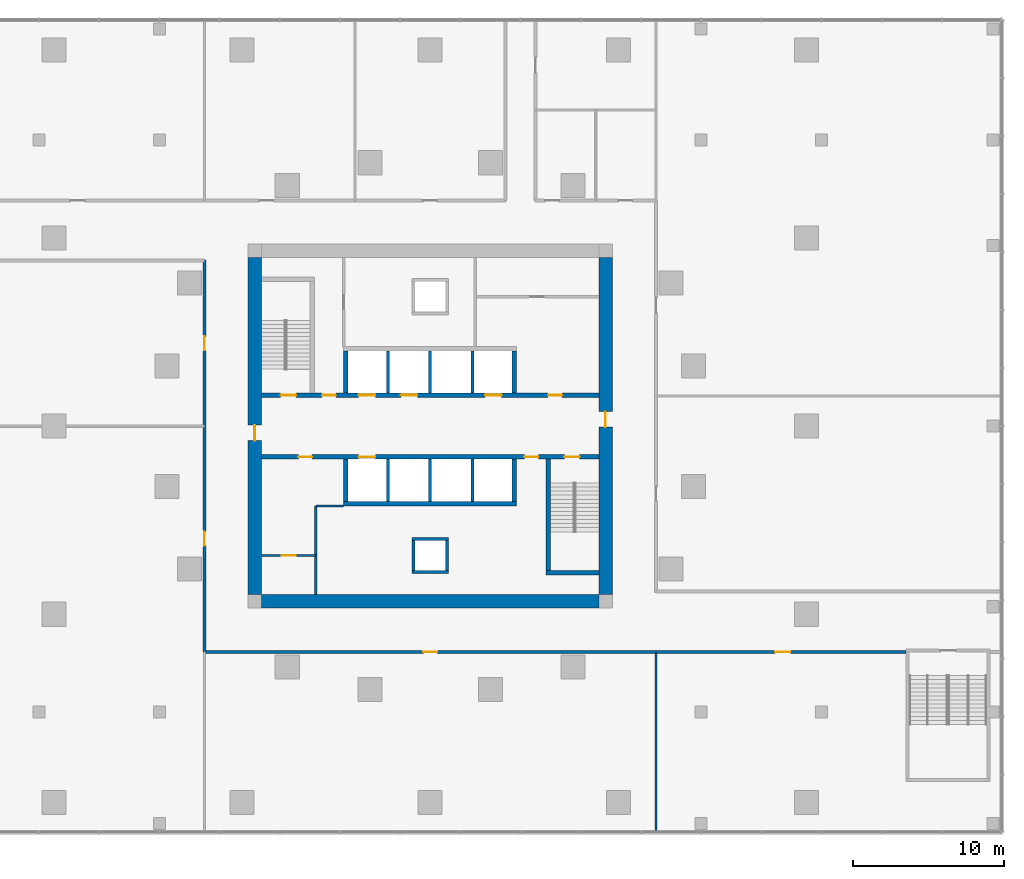
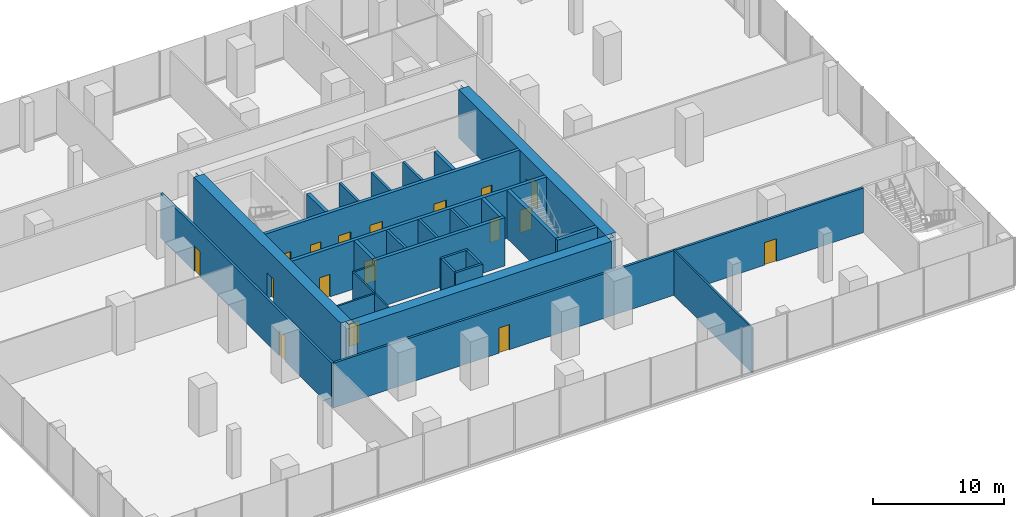
# One storey, part 10 of 15: 28 walls, 17 doors, 17 openings.
"""IFC4 building model written with IfcOpenShell, lengths in metres."""

from ifc_helpers import new_model, si_unit, direction, frame, frame_2d, origin, place, context, subcontext, project, spatial, polyline, rectangle, outline, extrude, material, layer, layer_set, type_object, element, fill, save


model = new_model("IFC4")

# Units and contexts
model_context = context("Model", 3, precision=1e-05, world=origin(), true_north=direction((0.0, 1.0)))
body_context = subcontext(model_context, "Body", "Model", "MODEL_VIEW")
ifc_project = project(units=[si_unit("LENGTHUNIT", "METRE"), si_unit("AREAUNIT", "SQUARE_METRE"), si_unit("VOLUMEUNIT", "CUBIC_METRE"), si_unit("PLANEANGLEUNIT", "RADIAN"), si_unit("MASSUNIT", "GRAM", prefix="KILO")], contexts=[model_context])

# Site, building, storey
site_placement = place(None, origin())
site = spatial("IfcSite", under=ifc_project, at=site_placement, CompositionType="ELEMENT")
building_placement = place(site_placement, origin())
building = spatial("IfcBuilding", under=site, at=building_placement, Name="Torsade Residences", CompositionType="ELEMENT")
storey_placement = place(building_placement, frame((0.0, 0.0, 6.0)))
storey = spatial("IfcBuildingStorey", under=building, at=storey_placement, Name="L01", CompositionType="ELEMENT", Elevation=6.0)

# Wall, openings, doors
ifc_material_1 = material(Name="Concrete 80 MPa", Category="concrete")
ifc_layer_1 = layer(ifc_material_1, 0.300048828125)
ifc_layer_set_1 = layer_set([ifc_layer_1], Name="Concrete 80 MPa")
wall_type_1 = type_object("IfcWallType", Name="CORE INTERNAL WALL 300", PredefinedType="SHEAR", material=ifc_layer_set_1)
wall_1_placement = place(storey_placement, frame((28.800048828125, 32.050048828125, 0.0), z_axis=(0.0, 0.0, 1.0), x_axis=(1.0, 0.0, 0.0)))
wall_1 = element("IfcWall", 1, at=wall_1_placement, inside=storey, type_object=wall_type_1, Name="Core wall LN L01", PredefinedType="SHEAR", context=body_context, shape_type="SweptSolid", body=[
    extrude(rectangle(XDim=22.39990234375, YDim=0.300048828125, at=frame_2d((11.199951171875, 0.0))), origin(), (0.0, 0.0, 1.0), 4.5),
])
opening_1_placement = place(wall_1_placement, frame((19.0400390625, 0.0, 0.0)))
opening_1 = element("IfcOpeningElement", 2, at=opening_1_placement, cuts=wall_1, Name="Opening D06", PredefinedType="OPENING", context=body_context, shape_type="SweptSolid", body=[
    extrude(rectangle(XDim=0.919921875, YDim=2.10009765625, at=frame_2d((0.4599609375, 1.050048828125))), frame((0.0, 0.159912109375, 0.0), z_axis=(0.0, -1.0, 0.0), x_axis=(1.0, 0.0, 0.0)), (0.0, 0.0, 1.0), 0.320068359375),
])
opening_2_placement = place(wall_1_placement, frame((1.264892578125, 0.0, 0.0)))
opening_2 = element("IfcOpeningElement", 3, at=opening_2_placement, cuts=wall_1, Name="Opening D03", PredefinedType="OPENING", context=body_context, shape_type="SweptSolid", body=[
    extrude(rectangle(XDim=1.02001953125, YDim=2.10009765625, at=frame_2d((0.510009765625, 1.050048828125))), frame((0.0, 0.159912109375, 0.0), z_axis=(0.0, -1.0, 0.0), x_axis=(1.0, 0.0, 0.0)), (0.0, 0.0, 1.0), 0.320068359375),
])
opening_3_placement = place(wall_1_placement, frame((4.014892578125, 0.0, 0.0)))
opening_3 = element("IfcOpeningElement", 4, at=opening_3_placement, cuts=wall_1, Name="Opening D06", PredefinedType="OPENING", context=body_context, shape_type="SweptSolid", body=[
    extrude(rectangle(XDim=0.919921875, YDim=2.10009765625, at=frame_2d((0.4599609375, 1.050048828125))), frame((0.0, 0.159912109375, 0.0), z_axis=(0.0, -1.0, 0.0), x_axis=(1.0, 0.0, 0.0)), (0.0, 0.0, 1.0), 0.320068359375),
])
opening_4_placement = place(wall_1_placement, frame((6.449951171875, 0.0, 0.0)))
opening_4 = element("IfcOpeningElement", 5, at=opening_4_placement, cuts=wall_1, Name="Opening LD", PredefinedType="OPENING", context=body_context, shape_type="SweptSolid", body=[
    extrude(rectangle(XDim=1.10009765625, YDim=2.10009765625, at=frame_2d((0.550048828125, 1.050048828125))), frame((0.0, 0.159912109375, 0.0), z_axis=(0.0, -1.0, 0.0), x_axis=(1.0, 0.0, 0.0)), (0.0, 0.0, 1.0), 0.320068359375),
])
opening_5_placement = place(wall_1_placement, frame((9.25, 0.0, 0.0)))
opening_5 = element("IfcOpeningElement", 6, at=opening_5_placement, cuts=wall_1, Name="Opening LD", PredefinedType="OPENING", context=body_context, shape_type="SweptSolid", body=[
    extrude(rectangle(XDim=1.10009765625, YDim=2.10009765625, at=frame_2d((0.550048828125, 1.050048828125))), frame((0.0, 0.159912109375, 0.0), z_axis=(0.0, -1.0, 0.0), x_axis=(1.0, 0.0, 0.0)), (0.0, 0.0, 1.0), 0.320068359375),
])
opening_6_placement = place(wall_1_placement, frame((14.85009765625, 0.0, 0.0)))
opening_6 = element("IfcOpeningElement", 7, at=opening_6_placement, cuts=wall_1, Name="Opening LD", PredefinedType="OPENING", context=body_context, shape_type="SweptSolid", body=[
    extrude(rectangle(XDim=1.10009765625, YDim=2.10009765625, at=frame_2d((0.550048828125, 1.050048828125))), frame((0.0, 0.159912109375, 0.0), z_axis=(0.0, -1.0, 0.0), x_axis=(1.0, 0.0, 0.0)), (0.0, 0.0, 1.0), 0.320068359375),
])
ifc_material_2 = material(Name="Steel-framed fire door", Category="steel")
door_type_1 = type_object("IfcDoorType", Name="FIRE DOOR 1020", OperationType="NOTDEFINED", PredefinedType="DOOR", material=ifc_material_2)
door_1_placement = place(opening_2_placement, origin())
door_1 = element("IfcDoor", 8, at=door_1_placement, inside=storey, type_object=door_type_1, Name="Exit door to fire-isolated stair ST1 L01", OperationType="SINGLE_SWING_RIGHT", OverallHeight=2.10009765625, OverallWidth=1.02001953125, PredefinedType="DOOR", context=body_context, shape_type="SweptSolid", body=[
    extrude(rectangle(XDim=1.02001953125, YDim=2.10009765625, at=frame_2d((0.510009765625, 1.050048828125))), frame((0.0, 0.02490234375, 0.0), z_axis=(0.0, -1.0, 0.0), x_axis=(1.0, 0.0, 0.0)), (0.0, 0.0, 1.0), 0.050048828125),
])
fill(opening_2, door_1)
ifc_material_3 = material(Name="Steel-framed fire door", Category="steel")
door_type_2 = type_object("IfcDoorType", Name="FIRE DOOR 920", OperationType="NOTDEFINED", PredefinedType="DOOR", material=ifc_material_3)
door_2_placement = place(opening_1_placement, origin())
door_2 = element("IfcDoor", 9, at=door_2_placement, inside=storey, type_object=door_type_2, Name="Door Lift lobby to Refuse room", OperationType="SINGLE_SWING_LEFT", OverallHeight=2.10009765625, OverallWidth=0.919921875, PredefinedType="DOOR", context=body_context, shape_type="SweptSolid", body=[
    extrude(rectangle(XDim=0.919921875, YDim=2.10009765625, at=frame_2d((0.4599609375, 1.050048828125))), frame((0.0, 0.02490234375, 0.0), z_axis=(0.0, -1.0, 0.0), x_axis=(1.0, 0.0, 0.0)), (0.0, 0.0, 1.0), 0.050048828125),
])
fill(opening_1, door_2)
door_3_placement = place(opening_3_placement, origin())
door_3 = element("IfcDoor", 10, at=door_3_placement, inside=storey, type_object=door_type_2, Name="Door Lift lobby to Meter store", OperationType="SINGLE_SWING_LEFT", OverallHeight=2.10009765625, OverallWidth=0.919921875, PredefinedType="DOOR", context=body_context, shape_type="SweptSolid", body=[
    extrude(rectangle(XDim=0.919921875, YDim=2.10009765625, at=frame_2d((0.4599609375, 1.050048828125))), frame((0.0, 0.02490234375, 0.0), z_axis=(0.0, -1.0, 0.0), x_axis=(1.0, 0.0, 0.0)), (0.0, 0.0, 1.0), 0.050048828125),
])
fill(opening_3, door_3)
ifc_material_4 = material(Name="Stainless steel lift landing door", Category="steel")
door_type_3 = type_object("IfcDoorType", Name="LIFT LANDING DOOR 1100", OperationType="SLIDING_TO_LEFT", PredefinedType="DOOR", material=ifc_material_4)
door_4_placement = place(opening_4_placement, origin())
door_4 = element("IfcDoor", 11, at=door_4_placement, inside=storey, type_object=door_type_3, Name="Lift LA1 landing door L01", OperationType="SLIDING_TO_LEFT", OverallHeight=2.10009765625, OverallWidth=1.10009765625, PredefinedType="DOOR", context=body_context, shape_type="SweptSolid", body=[
    extrude(rectangle(XDim=1.10009765625, YDim=2.10009765625, at=frame_2d((0.550048828125, 1.050048828125))), frame((0.0, 0.02490234375, 0.0), z_axis=(0.0, -1.0, 0.0), x_axis=(1.0, 0.0, 0.0)), (0.0, 0.0, 1.0), 0.050048828125),
])
fill(opening_4, door_4)
door_5_placement = place(opening_5_placement, origin())
door_5 = element("IfcDoor", 12, at=door_5_placement, inside=storey, type_object=door_type_3, Name="Lift LA2 landing door L01", OperationType="SLIDING_TO_LEFT", OverallHeight=2.10009765625, OverallWidth=1.10009765625, PredefinedType="DOOR", context=body_context, shape_type="SweptSolid", body=[
    extrude(rectangle(XDim=1.10009765625, YDim=2.10009765625, at=frame_2d((0.550048828125, 1.050048828125))), frame((0.0, 0.02490234375, 0.0), z_axis=(0.0, -1.0, 0.0), x_axis=(1.0, 0.0, 0.0)), (0.0, 0.0, 1.0), 0.050048828125),
])
fill(opening_5, door_5)
door_6_placement = place(opening_6_placement, origin())
door_6 = element("IfcDoor", 13, at=door_6_placement, inside=storey, type_object=door_type_3, Name="Lift FL1 landing door L01", OperationType="SLIDING_TO_LEFT", OverallHeight=2.10009765625, OverallWidth=1.10009765625, PredefinedType="DOOR", context=body_context, shape_type="SweptSolid", body=[
    extrude(rectangle(XDim=1.10009765625, YDim=2.10009765625, at=frame_2d((0.550048828125, 1.050048828125))), frame((0.0, 0.02490234375, 0.0), z_axis=(0.0, -1.0, 0.0), x_axis=(1.0, 0.0, 0.0)), (0.0, 0.0, 1.0), 0.050048828125),
])
fill(opening_6, door_6)

wall_2_placement = place(storey_placement, frame((51.199951171875, 27.949951171875, 0.0), z_axis=(0.0, 0.0, 1.0), x_axis=(-1.0, 0.0, 0.0)))
wall_2 = element("IfcWall", 14, at=wall_2_placement, inside=storey, type_object=wall_type_1, Name="Core wall LS L01", PredefinedType="SHEAR", context=body_context, shape_type="SweptSolid", body=[
    extrude(rectangle(XDim=22.39990234375, YDim=0.300048828125, at=frame_2d((11.199951171875, 0.0))), origin(), (0.0, 0.0, 1.0), 4.5),
])
opening_7_placement = place(wall_2_placement, frame((19.0400390625, 0.0, 0.0)))
opening_7 = element("IfcOpeningElement", 15, at=opening_7_placement, cuts=wall_2, Name="Opening D06", PredefinedType="OPENING", context=body_context, shape_type="SweptSolid", body=[
    extrude(rectangle(XDim=0.919921875, YDim=2.10009765625, at=frame_2d((0.4599609375, 1.050048828125))), frame((0.0, 0.159912109375, 0.0), z_axis=(0.0, -1.0, 0.0), x_axis=(1.0, 0.0, 0.0)), (0.0, 0.0, 1.0), 0.320068359375),
])
opening_8_placement = place(wall_2_placement, frame((1.264892578125, 0.0, 0.0)))
opening_8 = element("IfcOpeningElement", 16, at=opening_8_placement, cuts=wall_2, Name="Opening D03", PredefinedType="OPENING", context=body_context, shape_type="SweptSolid", body=[
    extrude(rectangle(XDim=1.02001953125, YDim=2.10009765625, at=frame_2d((0.510009765625, 1.050048828125))), frame((0.0, 0.159912109375, 0.0), z_axis=(0.0, -1.0, 0.0), x_axis=(1.0, 0.0, 0.0)), (0.0, 0.0, 1.0), 0.320068359375),
])
opening_9_placement = place(wall_2_placement, frame((4.014892578125, 0.0, 0.0)))
opening_9 = element("IfcOpeningElement", 17, at=opening_9_placement, cuts=wall_2, Name="Opening D06", PredefinedType="OPENING", context=body_context, shape_type="SweptSolid", body=[
    extrude(rectangle(XDim=0.919921875, YDim=2.10009765625, at=frame_2d((0.4599609375, 1.050048828125))), frame((0.0, 0.159912109375, 0.0), z_axis=(0.0, -1.0, 0.0), x_axis=(1.0, 0.0, 0.0)), (0.0, 0.0, 1.0), 0.320068359375),
])
opening_10_placement = place(wall_2_placement, frame((14.85009765625, 0.0, 0.0)))
opening_10 = element("IfcOpeningElement", 18, at=opening_10_placement, cuts=wall_2, Name="Opening LD", PredefinedType="OPENING", context=body_context, shape_type="SweptSolid", body=[
    extrude(rectangle(XDim=1.10009765625, YDim=2.10009765625, at=frame_2d((0.550048828125, 1.050048828125))), frame((0.0, 0.159912109375, 0.0), z_axis=(0.0, -1.0, 0.0), x_axis=(1.0, 0.0, 0.0)), (0.0, 0.0, 1.0), 0.320068359375),
])
door_7_placement = place(opening_8_placement, origin())
door_7 = element("IfcDoor", 19, at=door_7_placement, inside=storey, type_object=door_type_1, Name="Exit door to fire-isolated stair ST2 L01", OperationType="SINGLE_SWING_RIGHT", OverallHeight=2.10009765625, OverallWidth=1.02001953125, PredefinedType="DOOR", context=body_context, shape_type="SweptSolid", body=[
    extrude(rectangle(XDim=1.02001953125, YDim=2.10009765625, at=frame_2d((0.510009765625, 1.050048828125))), frame((0.0, 0.02490234375, 0.0), z_axis=(0.0, -1.0, 0.0), x_axis=(1.0, 0.0, 0.0)), (0.0, 0.0, 1.0), 0.050048828125),
])
fill(opening_8, door_7)
door_8_placement = place(opening_7_placement, origin())
door_8 = element("IfcDoor", 20, at=door_8_placement, inside=storey, type_object=door_type_2, Name="Door Lift lobby to Cleaner store", OperationType="SINGLE_SWING_LEFT", OverallHeight=2.10009765625, OverallWidth=0.919921875, PredefinedType="DOOR", context=body_context, shape_type="SweptSolid", body=[
    extrude(rectangle(XDim=0.919921875, YDim=2.10009765625, at=frame_2d((0.4599609375, 1.050048828125))), frame((0.0, 0.02490234375, 0.0), z_axis=(0.0, -1.0, 0.0), x_axis=(1.0, 0.0, 0.0)), (0.0, 0.0, 1.0), 0.050048828125),
])
fill(opening_7, door_8)
door_9_placement = place(opening_9_placement, origin())
door_9 = element("IfcDoor", 21, at=door_9_placement, inside=storey, type_object=door_type_2, Name="Door Lift lobby to Communications riser room", OperationType="SINGLE_SWING_RIGHT", OverallHeight=2.10009765625, OverallWidth=0.919921875, PredefinedType="DOOR", context=body_context, shape_type="SweptSolid", body=[
    extrude(rectangle(XDim=0.919921875, YDim=2.10009765625, at=frame_2d((0.4599609375, 1.050048828125))), frame((0.0, 0.02490234375, 0.0), z_axis=(0.0, -1.0, 0.0), x_axis=(1.0, 0.0, 0.0)), (0.0, 0.0, 1.0), 0.050048828125),
])
fill(opening_9, door_9)
door_10_placement = place(opening_10_placement, origin())
door_10 = element("IfcDoor", 22, at=door_10_placement, inside=storey, type_object=door_type_3, Name="Lift FL2 landing door L01", OperationType="SLIDING_TO_LEFT", OverallHeight=2.10009765625, OverallWidth=1.10009765625, PredefinedType="DOOR", context=body_context, shape_type="SweptSolid", body=[
    extrude(rectangle(XDim=1.10009765625, YDim=2.10009765625, at=frame_2d((0.550048828125, 1.050048828125))), frame((0.0, 0.02490234375, 0.0), z_axis=(0.0, -1.0, 0.0), x_axis=(1.0, 0.0, 0.0)), (0.0, 0.0, 1.0), 0.050048828125),
])
fill(opening_10, door_10)

# Walls
wall_3_placement = place(storey_placement, frame((45.75, 24.85009765625, 0.0), z_axis=(0.0, 0.0, 1.0), x_axis=(-1.0, 0.0, 0.0)))
element("IfcWall", 23, at=wall_3_placement, inside=storey, type_object=wall_type_1, Name="Core wall BS L01", PredefinedType="SHEAR", context=body_context, shape_type="SweptSolid", body=[
    extrude(rectangle(XDim=11.5, YDim=0.300048828125, at=frame_2d((5.75, 0.0))), origin(), (0.0, 0.0, 1.0), 4.5),
])
for number, where, z_axis, x_axis, name in (
    (24, (34.39990234375, 32.199951171875, 0.0), (0.0, 0.0, 1.0), (0.0, 1.0, 0.0), "Core wall DN0 L01"),
    (25, (45.60009765625, 27.800048828125, 0.0), (0.0, 0.0, 1.0), (0.0, -1.0, 0.0), "Core wall DS0 L01"),
    (26, (45.60009765625, 32.199951171875, 0.0), (0.0, 0.0, 1.0), (0.0, 1.0, 0.0), "Core wall DN4 L01"),
    (27, (34.39990234375, 27.800048828125, 0.0), (0.0, 0.0, 1.0), (0.0, -1.0, 0.0), "Core wall DS4 L01"),
):
    element("IfcWall", number, at=place(storey_placement, frame(where, z_axis=z_axis, x_axis=x_axis)), inside=storey, type_object=wall_type_1, Name=name, PredefinedType="SHEAR", context=body_context, shape_type="SweptSolid", body=[
        extrude(rectangle(XDim=2.800048828125, YDim=0.300048828125, at=frame_2d((1.39990234375, 0.0))), origin(), (0.0, 0.0, 1.0), 4.5),
    ])
wall_4_placement = place(storey_placement, frame((47.85009765625, 27.800048828125, 0.0), z_axis=(0.0, 0.0, 1.0), x_axis=(0.0, -1.0, 0.0)))
element("IfcWall", 28, at=wall_4_placement, inside=storey, type_object=wall_type_1, Name="Core wall ST2W L01", PredefinedType="SHEAR", context=body_context, shape_type="SweptSolid", body=[
    extrude(rectangle(XDim=7.699951171875, YDim=0.300048828125, at=frame_2d((3.85009765625, 0.0))), origin(), (0.0, 0.0, 1.0), 4.5),
])
wall_5_placement = place(storey_placement, frame((51.199951171875, 20.25, 0.0), z_axis=(0.0, 0.0, 1.0), x_axis=(-1.0, 0.0, 0.0)))
element("IfcWall", 29, at=wall_5_placement, inside=storey, type_object=wall_type_1, Name="Core wall ST2S L01", PredefinedType="SHEAR", context=body_context, shape_type="SweptSolid", body=[
    extrude(rectangle(XDim=3.5, YDim=0.300048828125, at=frame_2d((1.75, 0.0))), origin(), (0.0, 0.0, 1.0), 4.5),
])
ifc_material_5 = material(Name="Concrete 80 MPa", Category="concrete")
ifc_layer_2 = layer(ifc_material_5, 0.89990234375)
ifc_layer_set_2 = layer_set([ifc_layer_2], Name="Concrete 80 MPa")
wall_type_2 = type_object("IfcWallType", Name="CORE WALL 900", PredefinedType="SHEAR", material=ifc_layer_set_2)
wall_6_placement = place(storey_placement, frame((51.199951171875, 18.35009765625, 0.0), z_axis=(0.0, 0.0, 1.0), x_axis=(-1.0, 0.0, 0.0)))
element("IfcWall", 30, at=wall_6_placement, inside=storey, type_object=wall_type_2, Name="Core wall S L01", PredefinedType="SHEAR", context=body_context, shape_type="SweptSolid", body=[
    extrude(outline(polyline([(0.0, -0.449951171875), (22.39990234375, -0.449951171875), (22.39990234375, -0.02490234375), (22.849853515625, -0.02490234375), (22.849853515625, 0.02490234375), (22.39990234375, 0.02490234375), (22.39990234375, 0.449951171875), (0.0, 0.449951171875), (0.0, 0.02490234375), (-0.449951171875, 0.02490234375), (-0.449951171875, -0.02490234375), (0.0, -0.02490234375), (0.0, -0.449951171875)])), origin(), (0.0, 0.0, 1.0), 4.5),
])

# Wall, opening, door
wall_7_placement = place(storey_placement, frame((51.64990234375, 18.800048828125, 0.0), z_axis=(0.0, 0.0, 1.0), x_axis=(0.0, 1.0, 0.0)))
wall_7 = element("IfcWall", 31, at=wall_7_placement, inside=storey, type_object=wall_type_2, Name="Core wall E L01", PredefinedType="SHEAR", context=body_context, shape_type="SweptSolid", body=[
    extrude(outline(polyline([(0.0, -0.449951171875), (22.39990234375, -0.449951171875), (22.39990234375, -0.02490234375), (22.849853515625, -0.02490234375), (22.849853515625, 0.02490234375), (22.39990234375, 0.02490234375), (22.39990234375, 0.449951171875), (0.0, 0.449951171875), (0.0, 0.02490234375), (-0.449951171875, 0.02490234375), (-0.449951171875, -0.02490234375), (0.0, -0.02490234375), (0.0, -0.449951171875)])), origin(), (0.0, 0.0, 1.0), 4.5),
])
opening_11_placement = place(wall_7_placement, frame((11.139892578125, 0.0, 0.0)))
opening_11 = element("IfcOpeningElement", 32, at=opening_11_placement, cuts=wall_7, Name="Opening D04", PredefinedType="OPENING", context=body_context, shape_type="SweptSolid", body=[
    extrude(rectangle(XDim=1.02001953125, YDim=2.39990234375, at=frame_2d((0.510009765625, 1.199951171875))), frame((0.0, 0.4599609375, 0.0), z_axis=(0.0, -1.0, 0.0), x_axis=(1.0, 0.0, 0.0)), (0.0, 0.0, 1.0), 0.919921875),
])
ifc_material_6 = material(Name="Steel-framed fire door", Category="steel")
door_type_4 = type_object("IfcDoorType", Name="LOBBY SMOKE DOOR 1020x2400", OperationType="NOTDEFINED", PredefinedType="DOOR", material=ifc_material_6)
door_11_placement = place(opening_11_placement, origin())
door_11 = element("IfcDoor", 33, at=door_11_placement, inside=storey, type_object=door_type_4, Name="Lift lobby door E L01", OperationType="SINGLE_SWING_LEFT", OverallHeight=2.39990234375, OverallWidth=1.02001953125, PredefinedType="DOOR", context=body_context, shape_type="SweptSolid", body=[
    extrude(rectangle(XDim=1.02001953125, YDim=2.39990234375, at=frame_2d((0.510009765625, 1.199951171875))), frame((0.0, 0.02490234375, 0.0), z_axis=(0.0, -1.0, 0.0), x_axis=(1.0, 0.0, 0.0)), (0.0, 0.0, 1.0), 0.050048828125),
])
fill(opening_11, door_11)

wall_8_placement = place(storey_placement, frame((28.35009765625, 41.199951171875, 0.0), z_axis=(0.0, 0.0, 1.0), x_axis=(0.0, -1.0, 0.0)))
wall_8 = element("IfcWall", 34, at=wall_8_placement, inside=storey, type_object=wall_type_2, Name="Core wall W L01", PredefinedType="SHEAR", context=body_context, shape_type="SweptSolid", body=[
    extrude(outline(polyline([(0.0, -0.449951171875), (22.39990234375, -0.449951171875), (22.39990234375, -0.02490234375), (22.849853515625, -0.02490234375), (22.849853515625, 0.02490234375), (22.39990234375, 0.02490234375), (22.39990234375, 0.449951171875), (0.0, 0.449951171875), (0.0, 0.02490234375), (-0.449951171875, 0.02490234375), (-0.449951171875, -0.02490234375), (0.0, -0.02490234375), (0.0, -0.449951171875)])), origin(), (0.0, 0.0, 1.0), 4.5),
])
opening_12_placement = place(wall_8_placement, frame((11.139892578125, 0.0, 0.0)))
opening_12 = element("IfcOpeningElement", 35, at=opening_12_placement, cuts=wall_8, Name="Opening D04", PredefinedType="OPENING", context=body_context, shape_type="SweptSolid", body=[
    extrude(rectangle(XDim=1.02001953125, YDim=2.39990234375, at=frame_2d((0.510009765625, 1.199951171875))), frame((0.0, 0.4599609375, 0.0), z_axis=(0.0, -1.0, 0.0), x_axis=(1.0, 0.0, 0.0)), (0.0, 0.0, 1.0), 0.919921875),
])
door_12_placement = place(opening_12_placement, origin())
door_12 = element("IfcDoor", 36, at=door_12_placement, inside=storey, type_object=door_type_4, Name="Lift lobby door W L01", OperationType="SINGLE_SWING_RIGHT", OverallHeight=2.39990234375, OverallWidth=1.02001953125, PredefinedType="DOOR", context=body_context, shape_type="SweptSolid", body=[
    extrude(rectangle(XDim=1.02001953125, YDim=2.39990234375, at=frame_2d((0.510009765625, 1.199951171875))), frame((0.0, 0.02490234375, 0.0), z_axis=(0.0, -1.0, 0.0), x_axis=(1.0, 0.0, 0.0)), (0.0, 0.0, 1.0), 0.050048828125),
])
fill(opening_12, door_12)

# Wall, openings, doors
ifc_material_7 = material(Name="Plasterboard on steel stud", Category="steel")
ifc_layer_3 = layer(ifc_material_7, 0.199951171875)
ifc_layer_set_3 = layer_set([ifc_layer_3], Name="Plasterboard on steel stud")
wall_type_3 = type_object("IfcWallType", Name="CORRIDOR WALL 200", PredefinedType="PARTITIONING", material=ifc_layer_set_3)
wall_9_placement = place(storey_placement, frame((25.0, 15.0, 0.0), z_axis=(0.0, 0.0, 1.0), x_axis=(0.0, 1.0, 0.0)))
wall_9 = element("IfcWall", 37, at=wall_9_placement, inside=storey, type_object=wall_type_3, Name="Corridor wall L01", PredefinedType="PARTITIONING", context=body_context, shape_type="SweptSolid", body=[
    extrude(rectangle(XDim=26.050048828125, YDim=0.199951171875, at=frame_2d((13.02490234375, 0.0))), origin(), (0.0, 0.0, 1.0), 4.14990234375),
])
opening_13_placement = place(wall_9_placement, frame((7.06494140625, 0.0, 0.0)))
opening_13 = element("IfcOpeningElement", 38, at=opening_13_placement, cuts=wall_9, Name="Opening D02", PredefinedType="OPENING", context=body_context, shape_type="SweptSolid", body=[
    extrude(rectangle(XDim=0.919921875, YDim=2.340087890625, at=frame_2d((0.4599609375, 1.169921875))), frame((0.0, 0.10986328125, 0.0), z_axis=(0.0, -1.0, 0.0), x_axis=(1.0, 0.0, 0.0)), (0.0, 0.0, 1.0), 0.219970703125),
])
opening_14_placement = place(wall_9_placement, frame((20.0400390625, 0.0, 0.0)))
opening_14 = element("IfcOpeningElement", 39, at=opening_14_placement, cuts=wall_9, Name="Opening D02", PredefinedType="OPENING", context=body_context, shape_type="SweptSolid", body=[
    extrude(rectangle(XDim=0.919921875, YDim=2.340087890625, at=frame_2d((0.4599609375, 1.169921875))), frame((0.0, 0.10986328125, 0.0), z_axis=(0.0, -1.0, 0.0), x_axis=(1.0, 0.0, 0.0)), (0.0, 0.0, 1.0), 0.219970703125),
])
ifc_material_8 = material(Name="Hollow-core timber door", Category="wood")
door_type_5 = type_object("IfcDoorType", Name="INTERNAL DOOR 920x2340", OperationType="NOTDEFINED", PredefinedType="DOOR", material=ifc_material_8)
door_13_placement = place(opening_13_placement, origin())
door_13 = element("IfcDoor", 40, at=door_13_placement, inside=storey, type_object=door_type_5, Name="Door Amenity corridor to Pool hall", OperationType="SINGLE_SWING_LEFT", OverallHeight=2.340087890625, OverallWidth=0.919921875, PredefinedType="DOOR", context=body_context, shape_type="SweptSolid", body=[
    extrude(rectangle(XDim=0.919921875, YDim=2.340087890625, at=frame_2d((0.4599609375, 1.169921875))), frame((0.0, 0.02490234375, 0.0), z_axis=(0.0, -1.0, 0.0), x_axis=(1.0, 0.0, 0.0)), (0.0, 0.0, 1.0), 0.050048828125),
])
fill(opening_13, door_13)
door_14_placement = place(opening_14_placement, origin())
door_14 = element("IfcDoor", 41, at=door_14_placement, inside=storey, type_object=door_type_5, Name="Door Amenity corridor to Gymnasium", OperationType="SINGLE_SWING_RIGHT", OverallHeight=2.340087890625, OverallWidth=0.919921875, PredefinedType="DOOR", context=body_context, shape_type="SweptSolid", body=[
    extrude(rectangle(XDim=0.919921875, YDim=2.340087890625, at=frame_2d((0.4599609375, 1.169921875))), frame((0.0, 0.02490234375, 0.0), z_axis=(0.0, -1.0, 0.0), x_axis=(1.0, 0.0, 0.0)), (0.0, 0.0, 1.0), 0.050048828125),
])
fill(opening_14, door_14)

wall_10_placement = place(storey_placement, frame((71.60009765625, 15.0, 0.0), z_axis=(0.0, 0.0, 1.0), x_axis=(-1.0, 0.0, 0.0)))
wall_10 = element("IfcWall", 42, at=wall_10_placement, inside=storey, type_object=wall_type_3, Name="Corridor wall L01", PredefinedType="PARTITIONING", context=body_context, shape_type="SweptSolid", body=[
    extrude(rectangle(XDim=46.60009765625, YDim=0.199951171875, at=frame_2d((23.300048828125, 0.0))), origin(), (0.0, 0.0, 1.0), 4.14990234375),
])
opening_15_placement = place(wall_10_placement, frame((31.139892578125, 0.0, 0.0)))
opening_15 = element("IfcOpeningElement", 43, at=opening_15_placement, cuts=wall_10, Name="Opening D02", PredefinedType="OPENING", context=body_context, shape_type="SweptSolid", body=[
    extrude(rectangle(XDim=0.919921875, YDim=2.340087890625, at=frame_2d((0.4599609375, 1.169921875))), frame((0.0, 0.10986328125, 0.0), z_axis=(0.0, -1.0, 0.0), x_axis=(1.0, 0.0, 0.0)), (0.0, 0.0, 1.0), 0.219970703125),
])
opening_16_placement = place(wall_10_placement, frame((7.6650390625, 0.0, 0.0)))
opening_16 = element("IfcOpeningElement", 44, at=opening_16_placement, cuts=wall_10, Name="Opening D03", PredefinedType="OPENING", context=body_context, shape_type="SweptSolid", body=[
    extrude(rectangle(XDim=1.02001953125, YDim=2.10009765625, at=frame_2d((0.510009765625, 1.050048828125))), frame((0.0, 0.10986328125, 0.0), z_axis=(0.0, -1.0, 0.0), x_axis=(1.0, 0.0, 0.0)), (0.0, 0.0, 1.0), 0.219970703125),
])
door_15_placement = place(opening_16_placement, origin())
door_15 = element("IfcDoor", 45, at=door_15_placement, inside=storey, type_object=door_type_1, Name="Door Amenity corridor east to Pool plant room", OperationType="SINGLE_SWING_RIGHT", OverallHeight=2.10009765625, OverallWidth=1.02001953125, PredefinedType="DOOR", context=body_context, shape_type="SweptSolid", body=[
    extrude(rectangle(XDim=1.02001953125, YDim=2.10009765625, at=frame_2d((0.510009765625, 1.050048828125))), frame((0.0, 0.02490234375, 0.0), z_axis=(0.0, -1.0, 0.0), x_axis=(1.0, 0.0, 0.0)), (0.0, 0.0, 1.0), 0.050048828125),
])
fill(opening_16, door_15)
door_16_placement = place(opening_15_placement, origin())
door_16 = element("IfcDoor", 46, at=door_16_placement, inside=storey, type_object=door_type_5, Name="Door Amenity corridor to Spa and sauna", OperationType="SINGLE_SWING_LEFT", OverallHeight=2.340087890625, OverallWidth=0.919921875, PredefinedType="DOOR", context=body_context, shape_type="SweptSolid", body=[
    extrude(rectangle(XDim=0.919921875, YDim=2.340087890625, at=frame_2d((0.4599609375, 1.169921875))), frame((0.0, 0.02490234375, 0.0), z_axis=(0.0, -1.0, 0.0), x_axis=(1.0, 0.0, 0.0)), (0.0, 0.0, 1.0), 0.050048828125),
])
fill(opening_15, door_16)

# Walls
ifc_material_9 = material(Name="Reinforced blockwork", Category="masonry")
ifc_layer_4 = layer(ifc_material_9, 0.199951171875)
ifc_layer_set_4 = layer_set([ifc_layer_4], Name="Reinforced blockwork")
wall_type_4 = type_object("IfcWallType", Name="LIFT SHAFT DIVIDING WALL 200", PredefinedType="SOLIDWALL", material=ifc_layer_set_4)
for number, where, z_axis, x_axis, name in (
    (47, (37.199951171875, 32.199951171875, 0.0), (0.0, 0.0, 1.0), (0.0, 1.0, 0.0), "Core wall DN1 L01"),
    (48, (42.800048828125, 27.800048828125, 0.0), (0.0, 0.0, 1.0), (0.0, -1.0, 0.0), "Core wall DS1 L01"),
    (49, (40.0, 32.199951171875, 0.0), (0.0, 0.0, 1.0), (0.0, 1.0, 0.0), "Core wall DN2 L01"),
    (50, (40.0, 27.800048828125, 0.0), (0.0, 0.0, 1.0), (0.0, -1.0, 0.0), "Core wall DS2 L01"),
    (51, (42.800048828125, 32.199951171875, 0.0), (0.0, 0.0, 1.0), (0.0, 1.0, 0.0), "Core wall DN3 L01"),
    (52, (37.199951171875, 27.800048828125, 0.0), (0.0, 0.0, 1.0), (0.0, -1.0, 0.0), "Core wall DS3 L01"),
):
    element("IfcWall", number, at=place(storey_placement, frame(where, z_axis=z_axis, x_axis=x_axis)), inside=storey, type_object=wall_type_4, Name=name, PredefinedType="SOLIDWALL", context=body_context, shape_type="SweptSolid", body=[
        extrude(rectangle(XDim=2.800048828125, YDim=0.199951171875, at=frame_2d((1.39990234375, 0.0))), origin(), (0.0, 0.0, 1.0), 4.5),
    ])
ifc_material_10 = material(Name="Reinforced blockwork", Category="masonry")
ifc_layer_5 = layer(ifc_material_10, 0.199951171875)
ifc_layer_set_5 = layer_set([ifc_layer_5], Name="Reinforced blockwork")
wall_type_5 = type_object("IfcWallType", Name="RISER SHAFT WALL 200", PredefinedType="SOLIDWALL", material=ifc_layer_set_5)
for number, where, z_axis, x_axis, name in (
    (53, (38.89990234375, 22.39990234375, 0.0), (0.0, 0.0, 1.0), (0.0, -1.0, 0.0), "Core wall RS2a L01"),
    (54, (41.10009765625, 22.39990234375, 0.0), (0.0, 0.0, 1.0), (0.0, -1.0, 0.0), "Core wall RS2b L01"),
):
    element("IfcWall", number, at=place(storey_placement, frame(where, z_axis=z_axis, x_axis=x_axis)), inside=storey, type_object=wall_type_5, Name=name, PredefinedType="SOLIDWALL", context=body_context, shape_type="SweptSolid", body=[
        extrude(rectangle(XDim=2.0, YDim=0.199951171875, at=frame_2d((1.0, 0.0))), origin(), (0.0, 0.0, 1.0), 4.5),
    ])
for number, where, z_axis, x_axis, name in (
    (55, (38.800048828125, 22.5, 0.0), (0.0, 0.0, 1.0), (1.0, 0.0, 0.0), "Core wall RS2c L01"),
    (56, (38.800048828125, 20.300048828125, 0.0), (0.0, 0.0, 1.0), (1.0, 0.0, 0.0), "Core wall RS2d L01"),
):
    element("IfcWall", number, at=place(storey_placement, frame(where, z_axis=z_axis, x_axis=x_axis)), inside=storey, type_object=wall_type_5, Name=name, PredefinedType="SOLIDWALL", context=body_context, shape_type="SweptSolid", body=[
        extrude(rectangle(XDim=2.39990234375, YDim=0.199951171875, at=frame_2d((1.199951171875, 0.0))), origin(), (0.0, 0.0, 1.0), 4.5),
    ])
ifc_material_11 = material(Name="Reinforced blockwork", Category="masonry")
ifc_layer_6 = layer(ifc_material_11, 0.14990234375)
ifc_layer_set_6 = layer_set([ifc_layer_6], Name="Reinforced blockwork")
wall_type_6 = type_object("IfcWallType", Name="SERVICE ROOM WALL 150", PredefinedType="SOLIDWALL", material=ifc_layer_set_6)
wall_11_placement = place(storey_placement, frame((32.39990234375, 18.800048828125, 0.0), z_axis=(0.0, 0.0, 1.0), x_axis=(0.0, 1.0, 0.0)))
element("IfcWall", 57, at=wall_11_placement, inside=storey, type_object=wall_type_6, Name="Service room wall L01", PredefinedType="SOLIDWALL", context=body_context, shape_type="SweptSolid", body=[
    extrude(rectangle(XDim=5.89990234375, YDim=0.14990234375, at=frame_2d((2.949951171875, 0.0))), origin(), (0.0, 0.0, 1.0), 4.14990234375),
])
wall_12_placement = place(storey_placement, frame((32.39990234375, 24.699951171875, 0.0), z_axis=(0.0, 0.0, 1.0), x_axis=(1.0, 0.0, 0.0)))
element("IfcWall", 58, at=wall_12_placement, inside=storey, type_object=wall_type_6, Name="Service room wall L01", PredefinedType="SOLIDWALL", context=body_context, shape_type="SweptSolid", body=[
    extrude(rectangle(XDim=1.85009765625, YDim=0.14990234375, at=frame_2d((0.925048828125, 0.0))), origin(), (0.0, 0.0, 1.0), 4.14990234375),
])

# Wall, opening, door
wall_13_placement = place(storey_placement, frame((32.39990234375, 21.39990234375, 0.0), z_axis=(0.0, 0.0, 1.0), x_axis=(-1.0, 0.0, 0.0)))
wall_13 = element("IfcWall", 59, at=wall_13_placement, inside=storey, type_object=wall_type_6, Name="Service room wall L01", PredefinedType="SOLIDWALL", context=body_context, shape_type="SweptSolid", body=[
    extrude(rectangle(XDim=3.599853515625, YDim=0.14990234375, at=frame_2d((1.7998046875, 0.0))), origin(), (0.0, 0.0, 1.0), 4.14990234375),
])
opening_17_placement = place(wall_13_placement, frame((1.340087890625, 0.0, 0.0)))
opening_17 = element("IfcOpeningElement", 60, at=opening_17_placement, cuts=wall_13, Name="Opening D06", PredefinedType="OPENING", context=body_context, shape_type="SweptSolid", body=[
    extrude(rectangle(XDim=0.919921875, YDim=2.10009765625, at=frame_2d((0.4599609375, 1.050048828125))), frame((0.0, 0.0849609375, 0.0), z_axis=(0.0, -1.0, 0.0), x_axis=(1.0, 0.0, 0.0)), (0.0, 0.0, 1.0), 0.169921875),
])
door_17_placement = place(opening_17_placement, origin())
door_17 = element("IfcDoor", 61, at=door_17_placement, inside=storey, type_object=door_type_2, Name="Door Cleaner store to Hose reel and hydrant store", OperationType="SINGLE_SWING_LEFT", OverallHeight=2.10009765625, OverallWidth=0.919921875, PredefinedType="DOOR", context=body_context, shape_type="SweptSolid", body=[
    extrude(rectangle(XDim=0.919921875, YDim=2.10009765625, at=frame_2d((0.4599609375, 1.050048828125))), frame((0.0, 0.02490234375, 0.0), z_axis=(0.0, -1.0, 0.0), x_axis=(1.0, 0.0, 0.0)), (0.0, 0.0, 1.0), 0.050048828125),
])
fill(opening_17, door_17)

# Wall
wall_14_placement = place(storey_placement, frame((55.0, 15.0, 0.0), z_axis=(0.0, 0.0, 1.0), x_axis=(0.0, -1.0, 0.0)))
element("IfcWall", 62, at=wall_14_placement, inside=storey, type_object=wall_type_6, Name="Service room wall L01", PredefinedType="SOLIDWALL", context=body_context, shape_type="SweptSolid", body=[
    extrude(rectangle(XDim=12.0, YDim=0.14990234375, at=frame_2d((6.0, 0.0))), origin(), (0.0, 0.0, 1.0), 4.14990234375),
])

save(model, "model.ifc")
